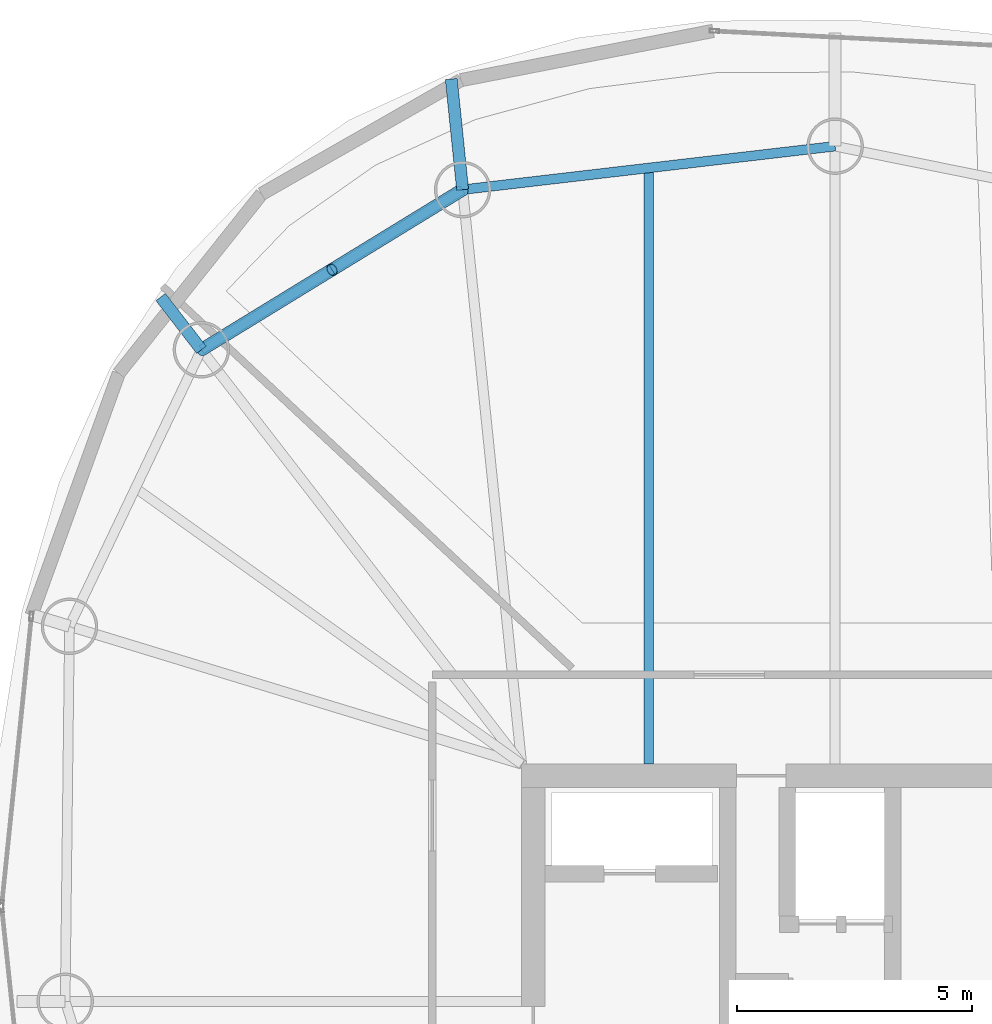
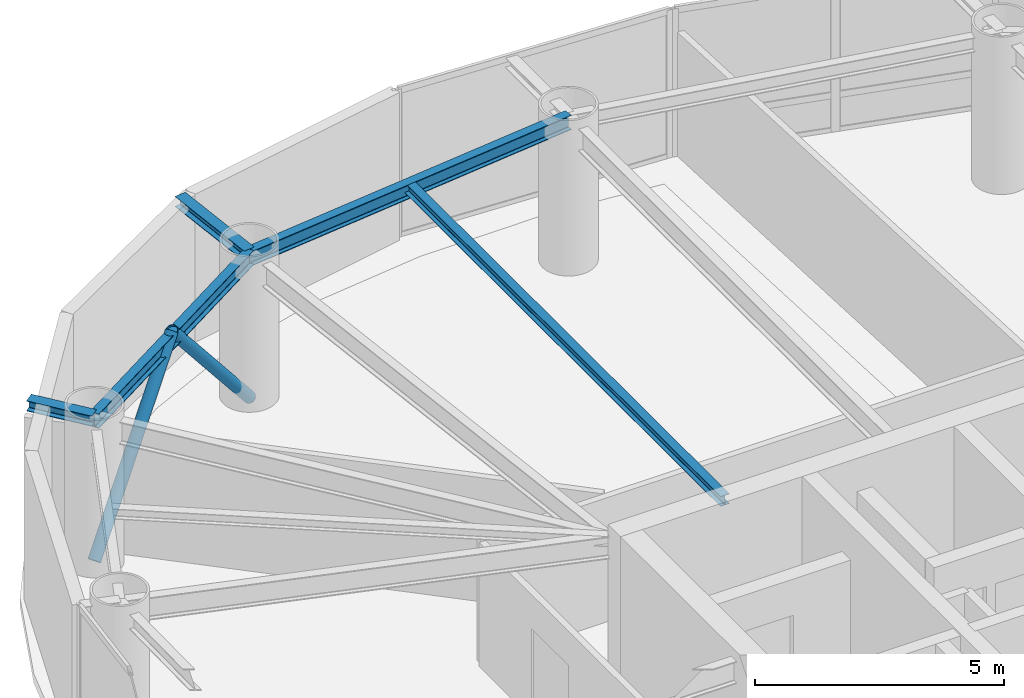
# One storey, part 10 of 20: 5 beams, 2 members.
"""IFC4 building model written with IfcOpenShell, lengths in metres."""

from ifc_helpers import new_model, si_unit, direction, frame, origin, origin_2d, place, context, subcontext, project, spatial, hollow_circle, i_section, extrude, material, material_profile, profile_set, type_object, element, save


model = new_model("IFC4")

# Units and contexts
model_context = context("Model", 3, precision=1e-05, world=origin(), true_north=direction((0.0, 1.0)))
body_context = subcontext(model_context, "Body", "Model", "MODEL_VIEW")
ifc_project = project(units=[si_unit("LENGTHUNIT", "METRE"), si_unit("AREAUNIT", "SQUARE_METRE"), si_unit("VOLUMEUNIT", "CUBIC_METRE"), si_unit("PLANEANGLEUNIT", "RADIAN"), si_unit("MASSUNIT", "GRAM", prefix="KILO")], contexts=[model_context])

# Site, building, storey
site_placement = place(None, origin())
site = spatial("IfcSite", under=ifc_project, at=site_placement, CompositionType="ELEMENT")
building_placement = place(site_placement, origin())
building = spatial("IfcBuilding", under=site, at=building_placement, Name="Bramvorn Convention Spire", CompositionType="ELEMENT")
storey_placement = place(building_placement, frame((0.0, 0.0, 228.949951171875)))
storey = spatial("IfcBuildingStorey", under=building, at=storey_placement, Name="L58", CompositionType="ELEMENT", Elevation=228.949951171875)

# Beams
ifc_material = material(Name="Steel CSA G40.21 Grade 350 (350W)", Category="steel")
ifc_material_profile_1 = material_profile(ifc_material, i_section(OverallWidth=0.201904296875, OverallDepth=0.2470703125, WebThickness=0.00732421875, FlangeThickness=0.010986328125, FilletRadius=0.011962890625, at=origin_2d()))
ifc_profile_set_1 = profile_set([ifc_material_profile_1], Name="Steel CSA G40.21 Grade 350 (350W) - W250X49")
beam_type_1 = type_object("IfcBeamType", Name="BM-W250X49", PredefinedType="JOIST", material=ifc_profile_set_1)
beam_1_placement = place(storey_placement, frame((29.455810546875, 33.449951171875, 3.49658203125), z_axis=(0.0, 1.0, 0.0), x_axis=(-1.0, 0.0, 0.0)))
element("IfcBeam", 1, at=beam_1_placement, inside=storey, type_object=beam_type_1, Name="L58 composite floor joist 07", PredefinedType="JOIST", context=body_context, shape_type="SweptSolid", body=[
    extrude(i_section(OverallWidth=0.201904296875, OverallDepth=0.2470703125, WebThickness=0.00732421875, FlangeThickness=0.010986328125, FilletRadius=0.011962890625, at=origin_2d()), origin(), (0.0, 0.0, 1.0), 12.676025390625),
])
ifc_material_profile_2 = material_profile(ifc_material, i_section(OverallWidth=0.25390625, OverallDepth=0.2529296875, WebThickness=0.008544921875, FlangeThickness=0.01416015625, FilletRadius=0.011962890625, at=origin_2d()))
ifc_profile_set_2 = profile_set([ifc_material_profile_2], Name="Steel CSA G40.21 Grade 350 (350W) - W250X73")
beam_type_2 = type_object("IfcBeamType", Name="BM-W250X73", PredefinedType="BEAM", material=ifc_profile_set_2)
beam_2_placement = place(storey_placement, frame((25.49560546875, 45.663818359375, 3.49365234375), z_axis=(-0.102201749155, 0.994763691773, 0.0), x_axis=(-0.994763691773, -0.102201749155, 0.0)))
element("IfcBeam", 2, at=beam_2_placement, inside=storey, type_object=beam_type_2, Name="L58 slab-edge cantilever tip beam MC08", PredefinedType="BEAM", context=body_context, shape_type="SweptSolid", body=[
    extrude(i_section(OverallWidth=0.25390625, OverallDepth=0.2529296875, WebThickness=0.008544921875, FlangeThickness=0.01416015625, FilletRadius=0.011962890625, at=origin_2d()), origin(), (0.0, 0.0, 1.0), 2.364990234375),
])
beam_3_placement = place(storey_placement, frame((19.941650390625, 42.260009765625, 3.49365234375), z_axis=(-0.611467126133, 0.791269836186, 0.0), x_axis=(-0.791269836186, -0.611467126133, 0.0)))
element("IfcBeam", 3, at=beam_3_placement, inside=storey, type_object=beam_type_2, Name="L58 slab-edge cantilever tip beam MC09", PredefinedType="BEAM", context=body_context, shape_type="SweptSolid", body=[
    extrude(i_section(OverallWidth=0.25390625, OverallDepth=0.2529296875, WebThickness=0.008544921875, FlangeThickness=0.01416015625, FilletRadius=0.011962890625, at=origin_2d()), origin(), (0.0, 0.0, 1.0), 1.416259765625),
])
ifc_material_profile_3 = material_profile(ifc_material, i_section(OverallWidth=0.205078125, OverallDepth=0.35400390625, WebThickness=0.009521484375, FlangeThickness=0.016845703125, FilletRadius=0.014892578125, at=origin_2d()))
ifc_profile_set_3 = profile_set([ifc_material_profile_3], Name="Steel CSA G40.21 Grade 350 (350W) - W360X79")
beam_type_3 = type_object("IfcBeamType", Name="BM-W360X79", PredefinedType="JOIST", material=ifc_profile_set_3)
beam_4_placement = place(storey_placement, frame((33.416259765625, 46.58837890625, 3.443115234375), z_axis=(-0.993256148339, -0.115940604561, 0.0), x_axis=(0.115940604561, -0.993256148339, 0.0)))
element("IfcBeam", 4, at=beam_4_placement, inside=storey, type_object=beam_type_3, Name="L58 mega-column ring beam 07", PredefinedType="JOIST", context=body_context, shape_type="SweptSolid", body=[
    extrude(i_section(OverallWidth=0.205078125, OverallDepth=0.35400390625, WebThickness=0.009521484375, FlangeThickness=0.016845703125, FilletRadius=0.014892578125, at=origin_2d()), origin(), (0.0, 0.0, 1.0), 7.974365234375),
])
beam_5_placement = place(storey_placement, frame((25.49560546875, 45.663818359375, 3.443115234375), z_axis=(-0.852616873135, -0.522536570629, 0.0), x_axis=(0.522536570629, -0.852616873135, 0.0)))
element("IfcBeam", 5, at=beam_5_placement, inside=storey, type_object=beam_type_3, Name="L58 mega-column ring beam 08", PredefinedType="JOIST", context=body_context, shape_type="SweptSolid", body=[
    extrude(i_section(OverallWidth=0.205078125, OverallDepth=0.35400390625, WebThickness=0.009521484375, FlangeThickness=0.016845703125, FilletRadius=0.014892578125, at=origin_2d()), origin(), (0.0, 0.0, 1.0), 6.513916015625),
])

# Members
ifc_material_profile_4 = material_profile(ifc_material, hollow_circle(Radius=0.136474609375, WallThickness=0.0126953125, at=origin_2d()))
ifc_profile_set_4 = profile_set([ifc_material_profile_4], Name="Steel CSA G40.21 Grade 350 (350W) - CHS273X13")
member_type = type_object("IfcMemberType", Name="MBR-CHS273X13", PredefinedType="BRACE", material=ifc_profile_set_4)
for number, where, z_axis, x_axis, name in (
    (6, (25.49560546875, 45.663818359375, 0.0), (-0.570281085842, -0.349488303244, 0.743395862933), (0.522519873149, -0.852627106163, 0.0), "L58 perimeter Gothic lancet brace 8A"),
    (7, (19.941650390625, 42.260009765625, 0.0), (0.570247254591, 0.349498295389, 0.743417117204), (-0.522553268977, 0.852606639126, 0.0), "L58 perimeter Gothic lancet brace 8B"),
):
    element("IfcMember", number, at=place(storey_placement, frame(where, z_axis=z_axis, x_axis=x_axis)), inside=storey, type_object=member_type, Name=name, PredefinedType="BRACE", context=body_context, shape_type="SweptSolid", body=[
        extrude(hollow_circle(Radius=0.136474609375, WallThickness=0.0126953125, at=origin_2d()), origin(), (0.0, 0.0, 1.0), 4.86962890625),
    ])

save(model, "model.ifc")
